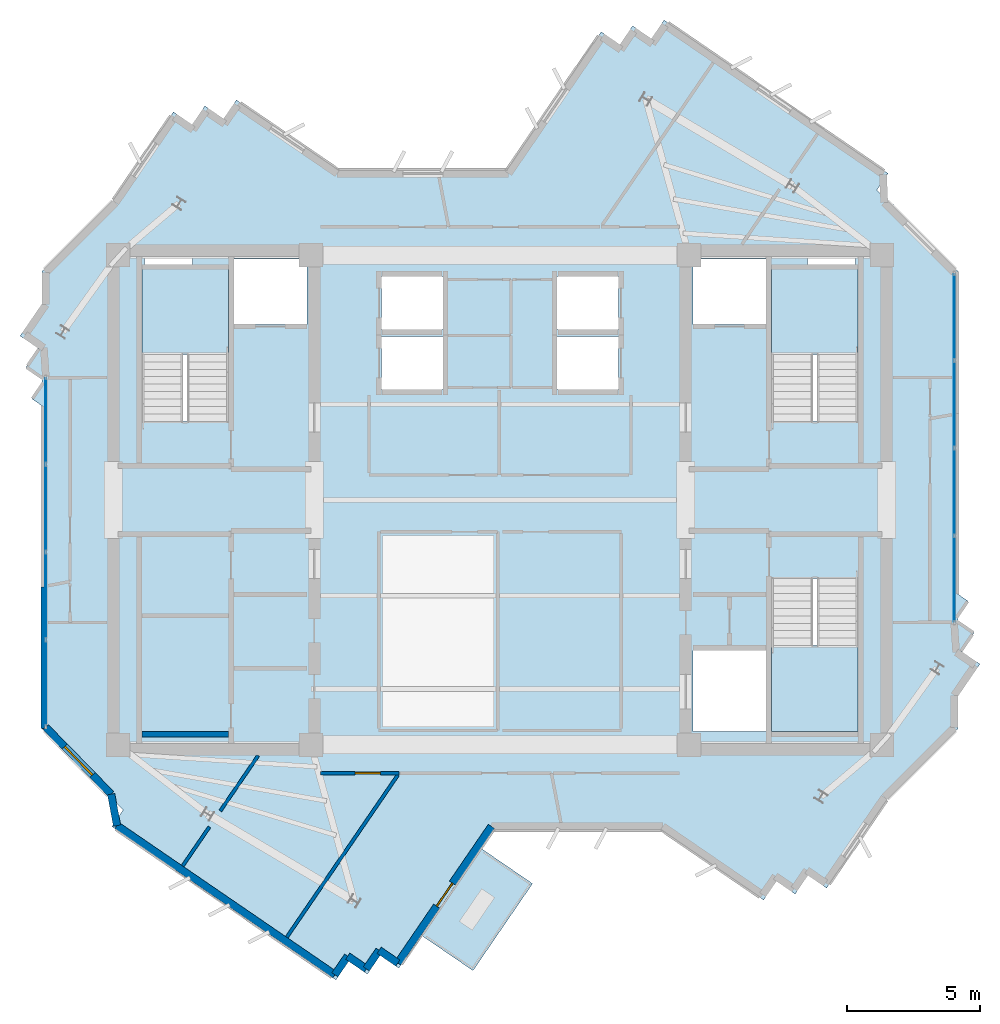
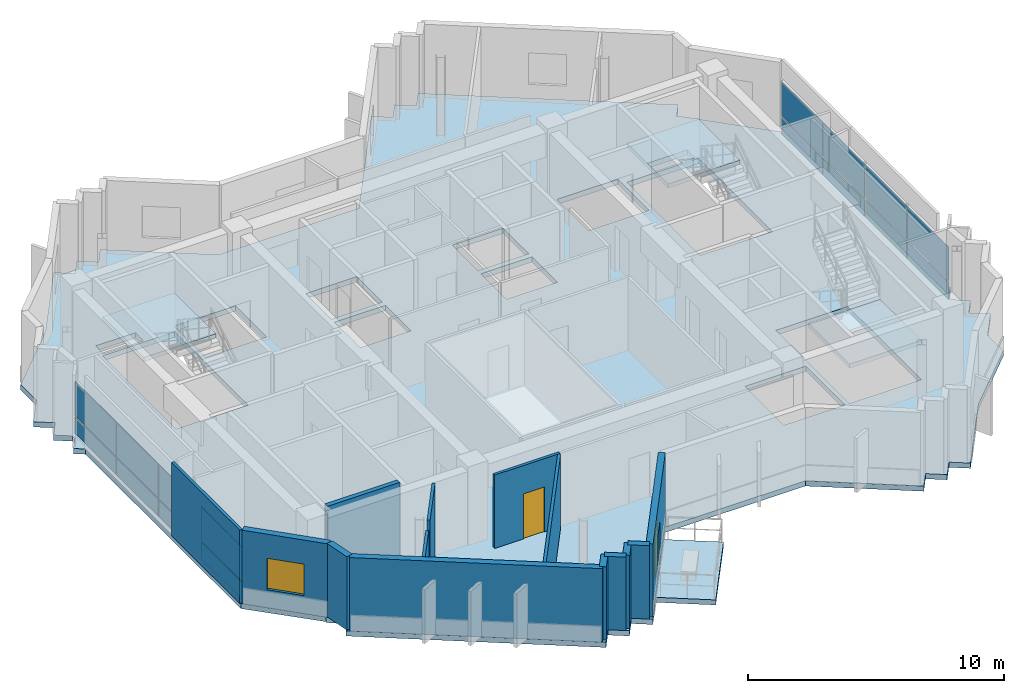
# One storey, part 4 of 11: 16 plates, 14 walls, 5 slabs, 2 doors, 1 window, 3 openings, 5 elements without a shape of their own.
"""IFC4 building model written with IfcOpenShell, lengths in metres."""

from ifc_helpers import new_model, si_unit, direction, frame, frame_2d, origin, origin_2d, place, context, subcontext, project, spatial, polyline, rectangle, outline, extrude, source, transform, mapped, material, layer, layer_set, type_object, element, fill, aggregate, save


model = new_model("IFC4")

# Units and contexts
model_context = context("Model", 3, precision=1e-05, world=origin(), true_north=direction((0.0, 1.0)))
body_context = subcontext(model_context, "Body", "Model", "MODEL_VIEW")
ifc_project = project(units=[si_unit("LENGTHUNIT", "METRE"), si_unit("AREAUNIT", "SQUARE_METRE"), si_unit("VOLUMEUNIT", "CUBIC_METRE"), si_unit("PLANEANGLEUNIT", "RADIAN"), si_unit("MASSUNIT", "GRAM", prefix="KILO")], contexts=[model_context])

# Site, building, storey
site_placement = place(None, origin())
site = spatial("IfcSite", under=ifc_project, at=site_placement, CompositionType="ELEMENT")
building_placement = place(site_placement, origin())
building = spatial("IfcBuilding", under=site, at=building_placement, Name="Zahravan Cultural Tower", CompositionType="ELEMENT")
storey_placement = place(building_placement, frame((0.0, 0.0, 331.050048828125)))
storey = spatial("IfcBuildingStorey", under=building, at=storey_placement, Name="L80", CompositionType="ELEMENT", Elevation=331.050048828125)

# Stair, slab
ifc_material_1 = material(Name="Concrete C45/55", Category="concrete")
stair_type = type_object("IfcStairType", Name="STR-DL-1550-375", PredefinedType="HALF_TURN_STAIR", material=ifc_material_1)
stair_1_placement = place(storey_placement, origin())
stair_1 = element("IfcStair", 1, at=stair_1_placement, inside=storey, type_object=stair_type, Name="L80 West Core North Exit Stair ST-W1", PredefinedType="HALF_TURN_STAIR")
ifc_layer_1 = layer(ifc_material_1, 0.199951171875)
ifc_layer_set_1 = layer_set([ifc_layer_1], Name="Concrete C45/55")
slab_type_1 = type_object("IfcSlabType", Name="SL-STAIR-LND200", PredefinedType="LANDING", material=ifc_layer_set_1)
slab_1_placement = place(storey_placement, frame((0.0, 0.0, 1.675048828125)))
slab_1 = element("IfcSlab", 2, at=slab_1_placement, type_object=slab_type_1, Name="ST-W1 landing 1", PredefinedType="LANDING", context=body_context, shape_type="SweptSolid", body=[
    extrude(outline(polyline([(25.800048828125, 32.469970703125), (25.800048828125, 35.699951171875), (22.550048828125, 35.699951171875), (22.550048828125, 32.469970703125), (25.800048828125, 32.469970703125)])), origin(), (0.0, 0.0, 1.0), 0.199951171875),
])
aggregate(stair_1, [slab_1])

stair_2_placement = place(storey_placement, origin())
stair_2 = element("IfcStair", 3, at=stair_2_placement, inside=storey, type_object=stair_type, Name="L80 East Core North Exit Stair ST-E1", PredefinedType="HALF_TURN_STAIR")
slab_2_placement = place(storey_placement, frame((0.0, 0.0, 1.675048828125)))
slab_2 = element("IfcSlab", 4, at=slab_2_placement, type_object=slab_type_1, Name="ST-E1 landing 1", PredefinedType="LANDING", context=body_context, shape_type="SweptSolid", body=[
    extrude(outline(polyline([(49.449951171875, 32.469970703125), (49.449951171875, 35.699951171875), (46.199951171875, 35.699951171875), (46.199951171875, 32.469970703125), (49.449951171875, 32.469970703125)])), origin(), (0.0, 0.0, 1.0), 0.199951171875),
])
aggregate(stair_2, [slab_2])

stair_3_placement = place(storey_placement, origin())
stair_3 = element("IfcStair", 5, at=stair_3_placement, inside=storey, type_object=stair_type, Name="L80 East Core South Exit Stair ST-E2", PredefinedType="HALF_TURN_STAIR")
slab_3_placement = place(storey_placement, frame((0.0, 0.0, 1.675048828125)))
slab_3 = element("IfcSlab", 6, at=slab_3_placement, type_object=slab_type_1, Name="ST-E2 landing 1", PredefinedType="LANDING", context=body_context, shape_type="SweptSolid", body=[
    extrude(outline(polyline([(46.199951171875, 21.530029296875), (46.199951171875, 18.300048828125), (49.449951171875, 18.300048828125), (49.449951171875, 21.530029296875), (46.199951171875, 21.530029296875)])), origin(), (0.0, 0.0, 1.0), 0.199951171875),
])
aggregate(stair_3, [slab_3])

# Slabs
ifc_material_2 = material(Name="Concrete C40/50", Category="concrete")
ifc_layer_2 = layer(ifc_material_2, 0.239990234375)
ifc_layer_set_2 = layer_set([ifc_layer_2], Name="Concrete C40/50")
slab_type_2 = type_object("IfcSlabType", Name="SL-TERR-240", PredefinedType="FLOOR", material=ifc_layer_set_2)
slab_4_placement = place(storey_placement, frame((0.0, 0.0, -0.239990234375)))
element("IfcSlab", 7, at=slab_4_placement, inside=storey, type_object=slab_type_2, Name="L80 Planted Sculpture Terrace SW", PredefinedType="FLOOR", context=body_context, shape_type="SweptSolid", body=[
    extrude(outline(polyline([(37.22216796875, 12.58935546875), (35.287109375, 13.9140625), (33.050048828125, 10.646728515625), (34.98486328125, 9.32177734375), (37.22216796875, 12.58935546875)])), origin(), (0.0, 0.0, 1.0), 0.239990234375),
])
ifc_layer_3 = layer(ifc_material_2, 0.25)
ifc_layer_set_3 = layer_set([ifc_layer_3], Name="Concrete C40/50")
slab_type_3 = type_object("IfcSlabType", Name="SL-TYP-250", PredefinedType="FLOOR", material=ifc_layer_set_3)
slab_5_placement = place(storey_placement, frame((0.0, 0.0, -0.25)))
element("IfcSlab", 8, at=slab_5_placement, inside=storey, type_object=slab_type_3, Name="L80 Structural Floor Slab", PredefinedType="FLOOR", context=body_context, shape_type="SweptSolid", body=[
    extrude(outline(polyline([(50.522216796875, 38.27783203125), (50.15478515625, 38.645263671875), (50.580810546875, 39.267822265625), (42.164794921875, 45.030517578125), (41.6845703125, 44.3291015625), (40.983154296875, 44.809326171875), (40.5029296875, 44.10791015625), (39.801513671875, 44.588134765625), (36.249267578125, 39.39990234375), (29.92626953125, 39.39990234375), (26.095458984375, 42.023193359375), (25.615234375, 41.32177734375), (24.913818359375, 41.802001953125), (24.43359375, 41.1005859375), (23.732177734375, 41.580810546875), (21.454833984375, 38.2548828125), (18.800048828125, 35.60009765625), (18.800048828125, 34.37744140625), (17.969482421875, 33.164794921875), (18.6708984375, 32.6845703125), (18.190673828125, 31.983154296875), (18.800048828125, 31.56591796875), (18.800048828125, 31.368408203125), (18.411865234375, 30.801513671875), (18.800048828125, 30.535888671875), (18.800048828125, 18.39990234375), (21.23388671875, 15.96630859375), (21.197998046875, 15.913818359375), (21.477783203125, 15.72216796875), (21.84521484375, 15.354736328125), (21.419189453125, 14.732177734375), (29.835205078125, 8.969482421875), (30.3154296875, 9.6708984375), (31.016845703125, 9.190673828125), (31.4970703125, 9.89208984375), (32.198486328125, 9.411865234375), (35.750732421875, 14.60009765625), (42.07373046875, 14.60009765625), (45.904541015625, 11.976806640625), (46.384765625, 12.67822265625), (47.086181640625, 12.197998046875), (47.56640625, 12.8994140625), (48.267822265625, 12.419189453125), (50.545166015625, 15.7451171875), (53.199951171875, 18.39990234375), (53.199951171875, 19.62255859375), (54.030517578125, 20.835205078125), (53.3291015625, 21.3154296875), (53.809326171875, 22.016845703125), (53.199951171875, 22.43408203125), (53.199951171875, 22.631591796875), (53.588134765625, 23.198486328125), (53.199951171875, 23.464111328125), (53.199951171875, 35.60009765625), (50.76611328125, 38.03369140625), (50.802001953125, 38.086181640625), (50.522216796875, 38.27783203125)]), holes=[polyline([(22.550048828125, 29.949951171875), (22.550048828125, 35.699951171875), (25.800048828125, 35.699951171875), (25.800048828125, 29.949951171875), (22.550048828125, 29.949951171875)]), polyline([(46.199951171875, 29.949951171875), (46.199951171875, 35.699951171875), (49.449951171875, 35.699951171875), (49.449951171875, 29.949951171875), (46.199951171875, 29.949951171875)]), polyline([(46.199951171875, 18.300048828125), (46.199951171875, 24.050048828125), (49.449951171875, 24.050048828125), (49.449951171875, 18.300048828125), (46.199951171875, 18.300048828125)]), polyline([(26.0, 33.60009765625), (26.0, 36.050048828125), (28.75, 36.050048828125), (28.75, 33.60009765625), (26.0, 33.60009765625)]), polyline([(43.25, 33.60009765625), (43.25, 36.050048828125), (46.0, 36.050048828125), (46.0, 33.60009765625), (43.25, 33.60009765625)]), polyline([(43.25, 18.300048828125), (43.25, 21.35009765625), (46.0, 21.35009765625), (46.0, 18.300048828125), (43.25, 18.300048828125)]), polyline([(31.550048828125, 33.39990234375), (31.550048828125, 35.39990234375), (33.85009765625, 35.39990234375), (33.85009765625, 33.39990234375), (31.550048828125, 33.39990234375)]), polyline([(31.550048828125, 31.14990234375), (31.550048828125, 33.14990234375), (33.85009765625, 33.14990234375), (33.85009765625, 31.14990234375), (31.550048828125, 31.14990234375)]), polyline([(38.14990234375, 33.39990234375), (38.14990234375, 35.39990234375), (40.449951171875, 35.39990234375), (40.449951171875, 33.39990234375), (38.14990234375, 33.39990234375)]), polyline([(38.14990234375, 31.14990234375), (38.14990234375, 33.14990234375), (40.449951171875, 33.14990234375), (40.449951171875, 31.14990234375), (38.14990234375, 31.14990234375)]), polyline([(22.64990234375, 35.800048828125), (22.64990234375, 36.419921875), (24.449951171875, 36.419921875), (24.449951171875, 35.800048828125), (22.64990234375, 35.800048828125)]), polyline([(47.550048828125, 35.800048828125), (47.550048828125, 36.419921875), (49.35009765625, 36.419921875), (49.35009765625, 35.800048828125), (47.550048828125, 35.800048828125)])]), origin(), (0.0, 0.0, 1.0), 0.25),
])

# Curtain wall, plates
ifc_material_3 = material(Name="Anodised bronze-aluminium mullion", Category="aluminium")
ifc_layer_4 = layer(ifc_material_3, 0.179931640625)
ifc_layer_set_4 = layer_set([ifc_layer_4], Name="Anodised bronze-aluminium mullion")
curtain_wall_type_1 = type_object("IfcCurtainWallType", Name="CW-SYS-3", PredefinedType="USERDEFINED", material=ifc_layer_set_4)
curtain_wall_1_placement = place(storey_placement, origin())
curtain_wall_1 = element("IfcCurtainWall", 9, at=curtain_wall_1_placement, inside=storey, type_object=curtain_wall_type_1, Name="L80 Recessed Curtain Wall CW-3.1", ObjectType="RECESSED GLAZING", PredefinedType="USERDEFINED")
ifc_material_4 = material(Name="Low-E solar-control double glazing", Category="glass")
ifc_layer_5 = layer(ifc_material_4, 0.028076171875)
ifc_layer_set_5 = layer_set([ifc_layer_5], Name="Low-E solar-control double glazing")
plate_type_1 = type_object("IfcPlateType", Name="CWP-CW-3", PredefinedType="CURTAIN_PANEL", material=ifc_layer_set_5)
shared_shape_1 = source(origin(), body_context, "Body", "SweptSolid", [
    extrude(rectangle(XDim=3.1904296875, YDim=0.028076171875, at=origin_2d()), origin(), (0.0, 0.0, 1.0), 0.794921875),
])
plate_1_placement = place(storey_placement, frame((18.93994140625, 20.123291015625, 0.070068359375), z_axis=(0.0, 0.0, 1.0), x_axis=(0.0, 1.0, 0.0)))
plate_1 = element("IfcPlate", 10, at=plate_1_placement, type_object=plate_type_1, Name="CW-3 panel 1.1", PredefinedType="CURTAIN_PANEL", context=body_context, shape_type="MappedRepresentation", body=[
    mapped(shared_shape_1, transform((0.0, 0.0, 0.0), x_axis=(1.0, 0.0, 0.0), y_axis=(0.0, 1.0, 0.0), z_axis=(0.0, 0.0, 1.0), scale=1.0)),
])
plate_2_placement = place(storey_placement, frame((18.93994140625, 29.974609375, 0.070068359375), z_axis=(0.0, 0.0, 1.0), x_axis=(0.0, 1.0, 0.0)))
plate_2 = element("IfcPlate", 11, at=plate_2_placement, type_object=plate_type_1, Name="CW-3 panel 4.1", PredefinedType="CURTAIN_PANEL", context=body_context, shape_type="MappedRepresentation", body=[
    mapped(shared_shape_1, transform((0.0, 0.0, 0.0), x_axis=(1.0, 0.0, 0.0), y_axis=(0.0, 1.0, 0.0), z_axis=(0.0, 0.0, 1.0), scale=1.0)),
])
shared_shape_2 = source(origin(), body_context, "Body", "SweptSolid", [
    extrude(rectangle(XDim=3.1904296875, YDim=0.028076171875, at=origin_2d()), origin(), (0.0, 0.0, 1.0), 1.614990234375),
])
plate_3_placement = place(storey_placement, frame((18.93994140625, 20.123291015625, 0.93505859375), z_axis=(0.0, 0.0, 1.0), x_axis=(0.0, 1.0, 0.0)))
plate_3 = element("IfcPlate", 12, at=plate_3_placement, type_object=plate_type_1, Name="CW-3 panel 1.2", PredefinedType="CURTAIN_PANEL", context=body_context, shape_type="MappedRepresentation", body=[
    mapped(shared_shape_2, transform((0.0, 0.0, 0.0), x_axis=(1.0, 0.0, 0.0), y_axis=(0.0, 1.0, 0.0), z_axis=(0.0, 0.0, 1.0), scale=1.0)),
])
plate_4_placement = place(storey_placement, frame((18.93994140625, 29.974609375, 0.93505859375), z_axis=(0.0, 0.0, 1.0), x_axis=(0.0, 1.0, 0.0)))
plate_4 = element("IfcPlate", 13, at=plate_4_placement, type_object=plate_type_1, Name="CW-3 panel 4.2", PredefinedType="CURTAIN_PANEL", context=body_context, shape_type="MappedRepresentation", body=[
    mapped(shared_shape_2, transform((0.0, 0.0, 0.0), x_axis=(1.0, 0.0, 0.0), y_axis=(0.0, 1.0, 0.0), z_axis=(0.0, 0.0, 1.0), scale=1.0)),
])
shared_shape_3 = source(origin(), body_context, "Body", "SweptSolid", [
    extrude(rectangle(XDim=3.225341796875, YDim=0.028076171875, at=origin_2d()), origin(), (0.0, 0.0, 1.0), 0.794921875),
])
plate_5_placement = place(storey_placement, frame((18.93994140625, 23.401123046875, 0.070068359375), z_axis=(0.0, 0.0, 1.0), x_axis=(0.0, 1.0, 0.0)))
plate_5 = element("IfcPlate", 14, at=plate_5_placement, type_object=plate_type_1, Name="CW-3 panel 2.1", PredefinedType="CURTAIN_PANEL", context=body_context, shape_type="MappedRepresentation", body=[
    mapped(shared_shape_3, transform((0.0, 0.0, 0.0), x_axis=(1.0, 0.0, 0.0), y_axis=(0.0, 1.0, 0.0), z_axis=(0.0, 0.0, 1.0), scale=1.0)),
])
plate_6_placement = place(storey_placement, frame((18.93994140625, 26.696533203125, 0.070068359375), z_axis=(0.0, 0.0, 1.0), x_axis=(0.0, 1.0, 0.0)))
plate_6 = element("IfcPlate", 15, at=plate_6_placement, type_object=plate_type_1, Name="CW-3 panel 3.1", PredefinedType="CURTAIN_PANEL", context=body_context, shape_type="MappedRepresentation", body=[
    mapped(shared_shape_3, transform((0.0, 0.0, 0.0), x_axis=(1.0, 0.0, 0.0), y_axis=(0.0, 1.0, 0.0), z_axis=(0.0, 0.0, 1.0), scale=1.0)),
])
shared_shape_4 = source(origin(), body_context, "Body", "SweptSolid", [
    extrude(rectangle(XDim=3.225341796875, YDim=0.028076171875, at=origin_2d()), origin(), (0.0, 0.0, 1.0), 1.614990234375),
])
plate_7_placement = place(storey_placement, frame((18.93994140625, 23.401123046875, 0.93505859375), z_axis=(0.0, 0.0, 1.0), x_axis=(0.0, 1.0, 0.0)))
plate_7 = element("IfcPlate", 16, at=plate_7_placement, type_object=plate_type_1, Name="CW-3 panel 2.2", PredefinedType="CURTAIN_PANEL", context=body_context, shape_type="MappedRepresentation", body=[
    mapped(shared_shape_4, transform((0.0, 0.0, 0.0), x_axis=(1.0, 0.0, 0.0), y_axis=(0.0, 1.0, 0.0), z_axis=(0.0, 0.0, 1.0), scale=1.0)),
])
plate_8_placement = place(storey_placement, frame((18.93994140625, 26.696533203125, 0.93505859375), z_axis=(0.0, 0.0, 1.0), x_axis=(0.0, 1.0, 0.0)))
plate_8 = element("IfcPlate", 17, at=plate_8_placement, type_object=plate_type_1, Name="CW-3 panel 3.2", PredefinedType="CURTAIN_PANEL", context=body_context, shape_type="MappedRepresentation", body=[
    mapped(shared_shape_4, transform((0.0, 0.0, 0.0), x_axis=(1.0, 0.0, 0.0), y_axis=(0.0, 1.0, 0.0), z_axis=(0.0, 0.0, 1.0), scale=1.0)),
])
aggregate(curtain_wall_1, [plate_1, plate_3, plate_5, plate_7, plate_6, plate_8, plate_2, plate_4])

ifc_layer_6 = layer(ifc_material_3, 0.1650390625)
ifc_layer_set_6 = layer_set([ifc_layer_6], Name="Anodised bronze-aluminium mullion")
curtain_wall_type_2 = type_object("IfcCurtainWallType", Name="CW-SYS-4", PredefinedType="USERDEFINED", material=ifc_layer_set_6)
curtain_wall_2_placement = place(storey_placement, origin())
curtain_wall_2 = element("IfcCurtainWall", 18, at=curtain_wall_2_placement, inside=storey, type_object=curtain_wall_type_2, Name="L80 Recessed Curtain Wall CW-4.2", ObjectType="RECESSED GLAZING", PredefinedType="USERDEFINED")
ifc_layer_7 = layer(ifc_material_4, 0.02587890625)
ifc_layer_set_7 = layer_set([ifc_layer_7], Name="Low-E solar-control double glazing")
plate_type_2 = type_object("IfcPlateType", Name="CWP-CW-4", PredefinedType="CURTAIN_PANEL", material=ifc_layer_set_7)
shared_shape_5 = source(origin(), body_context, "Body", "SweptSolid", [
    extrude(rectangle(XDim=3.197998046875, YDim=0.02587890625, at=origin_2d()), origin(), (0.0, 0.0, 1.0), 0.802490234375),
])
plate_9_placement = place(storey_placement, frame((53.06005859375, 33.8779296875, 0.06494140625), z_axis=(0.0, 0.0, 1.0), x_axis=(0.0, -1.0, 0.0)))
plate_9 = element("IfcPlate", 19, at=plate_9_placement, type_object=plate_type_2, Name="CW-4 panel 1.1", PredefinedType="CURTAIN_PANEL", context=body_context, shape_type="MappedRepresentation", body=[
    mapped(shared_shape_5, transform((0.0, 0.0, 0.0), x_axis=(1.0, 0.0, 0.0), y_axis=(0.0, 1.0, 0.0), z_axis=(0.0, 0.0, 1.0), scale=1.0)),
])
plate_10_placement = place(storey_placement, frame((53.06005859375, 24.024169921875, 0.06494140625), z_axis=(0.0, 0.0, 1.0), x_axis=(0.0, -1.0, 0.0)))
plate_10 = element("IfcPlate", 20, at=plate_10_placement, type_object=plate_type_2, Name="CW-4 panel 4.1", PredefinedType="CURTAIN_PANEL", context=body_context, shape_type="MappedRepresentation", body=[
    mapped(shared_shape_5, transform((0.0, 0.0, 0.0), x_axis=(1.0, 0.0, 0.0), y_axis=(0.0, 1.0, 0.0), z_axis=(0.0, 0.0, 1.0), scale=1.0)),
])
shared_shape_6 = source(origin(), body_context, "Body", "SweptSolid", [
    extrude(rectangle(XDim=3.197998046875, YDim=0.02587890625, at=origin_2d()), origin(), (0.0, 0.0, 1.0), 1.62255859375),
])
plate_11_placement = place(storey_placement, frame((53.06005859375, 33.8779296875, 0.932373046875), z_axis=(0.0, 0.0, 1.0), x_axis=(0.0, -1.0, 0.0)))
plate_11 = element("IfcPlate", 21, at=plate_11_placement, type_object=plate_type_2, Name="CW-4 panel 1.2", PredefinedType="CURTAIN_PANEL", context=body_context, shape_type="MappedRepresentation", body=[
    mapped(shared_shape_6, transform((0.0, 0.0, 0.0), x_axis=(1.0, 0.0, 0.0), y_axis=(0.0, 1.0, 0.0), z_axis=(0.0, 0.0, 1.0), scale=1.0)),
])
plate_12_placement = place(storey_placement, frame((53.06005859375, 24.024169921875, 0.932373046875), z_axis=(0.0, 0.0, 1.0), x_axis=(0.0, -1.0, 0.0)))
plate_12 = element("IfcPlate", 22, at=plate_12_placement, type_object=plate_type_2, Name="CW-4 panel 4.2", PredefinedType="CURTAIN_PANEL", context=body_context, shape_type="MappedRepresentation", body=[
    mapped(shared_shape_6, transform((0.0, 0.0, 0.0), x_axis=(1.0, 0.0, 0.0), y_axis=(0.0, 1.0, 0.0), z_axis=(0.0, 0.0, 1.0), scale=1.0)),
])
shared_shape_7 = source(origin(), body_context, "Body", "SweptSolid", [
    extrude(rectangle(XDim=3.23046875, YDim=0.02587890625, at=origin_2d()), origin(), (0.0, 0.0, 1.0), 0.802490234375),
])
plate_13_placement = place(storey_placement, frame((53.06005859375, 30.598876953125, 0.06494140625), z_axis=(0.0, 0.0, 1.0), x_axis=(0.0, -1.0, 0.0)))
plate_13 = element("IfcPlate", 23, at=plate_13_placement, type_object=plate_type_2, Name="CW-4 panel 2.1", PredefinedType="CURTAIN_PANEL", context=body_context, shape_type="MappedRepresentation", body=[
    mapped(shared_shape_7, transform((0.0, 0.0, 0.0), x_axis=(1.0, 0.0, 0.0), y_axis=(0.0, 1.0, 0.0), z_axis=(0.0, 0.0, 1.0), scale=1.0)),
])
plate_14_placement = place(storey_placement, frame((53.06005859375, 27.303466796875, 0.06494140625), z_axis=(0.0, 0.0, 1.0), x_axis=(0.0, -1.0, 0.0)))
plate_14 = element("IfcPlate", 24, at=plate_14_placement, type_object=plate_type_2, Name="CW-4 panel 3.1", PredefinedType="CURTAIN_PANEL", context=body_context, shape_type="MappedRepresentation", body=[
    mapped(shared_shape_7, transform((0.0, 0.0, 0.0), x_axis=(1.0, 0.0, 0.0), y_axis=(0.0, 1.0, 0.0), z_axis=(0.0, 0.0, 1.0), scale=1.0)),
])
shared_shape_8 = source(origin(), body_context, "Body", "SweptSolid", [
    extrude(rectangle(XDim=3.23046875, YDim=0.02587890625, at=origin_2d()), origin(), (0.0, 0.0, 1.0), 1.62255859375),
])
plate_15_placement = place(storey_placement, frame((53.06005859375, 30.598876953125, 0.932373046875), z_axis=(0.0, 0.0, 1.0), x_axis=(0.0, -1.0, 0.0)))
plate_15 = element("IfcPlate", 25, at=plate_15_placement, type_object=plate_type_2, Name="CW-4 panel 2.2", PredefinedType="CURTAIN_PANEL", context=body_context, shape_type="MappedRepresentation", body=[
    mapped(shared_shape_8, transform((0.0, 0.0, 0.0), x_axis=(1.0, 0.0, 0.0), y_axis=(0.0, 1.0, 0.0), z_axis=(0.0, 0.0, 1.0), scale=1.0)),
])
plate_16_placement = place(storey_placement, frame((53.06005859375, 27.303466796875, 0.932373046875), z_axis=(0.0, 0.0, 1.0), x_axis=(0.0, -1.0, 0.0)))
plate_16 = element("IfcPlate", 26, at=plate_16_placement, type_object=plate_type_2, Name="CW-4 panel 3.2", PredefinedType="CURTAIN_PANEL", context=body_context, shape_type="MappedRepresentation", body=[
    mapped(shared_shape_8, transform((0.0, 0.0, 0.0), x_axis=(1.0, 0.0, 0.0), y_axis=(0.0, 1.0, 0.0), z_axis=(0.0, 0.0, 1.0), scale=1.0)),
])
aggregate(curtain_wall_2, [plate_9, plate_11, plate_13, plate_15, plate_14, plate_16, plate_10, plate_12])

# Wall, opening, window
ifc_material_5 = material(Name="Precast concrete C40/50", Category="concrete")
ifc_layer_8 = layer(ifc_material_5, 0.280029296875)
ifc_layer_set_8 = layer_set([ifc_layer_8], Name="Precast concrete C40/50")
wall_type_1 = type_object("IfcWallType", Name="EW-TC-280", PredefinedType="SOLIDWALL", material=ifc_layer_set_8)
wall_1_placement = place(storey_placement, frame((21.392578125, 15.9501953125, 0.0), z_axis=(0.0, 0.0, 1.0), x_axis=(-0.699198279454, 0.714927804753, 0.0)))
wall_1 = element("IfcWall", 27, at=wall_1_placement, inside=storey, type_object=wall_type_1, Name="L80 Exterior Masonry Frame Wall 01", PredefinedType="SOLIDWALL", context=body_context, shape_type="SweptSolid", body=[
    extrude(rectangle(XDim=3.5078125, YDim=0.280029296875, at=frame_2d((1.75390625, 0.0))), origin(), (0.0, 0.0, 1.0), 3.5),
])
opening_1_placement = place(wall_1_placement, frame((1.00390625, 0.0, 0.85009765625)))
opening_1 = element("IfcOpeningElement", 28, at=opening_1_placement, cuts=wall_1, Name="Opening WN-03", PredefinedType="OPENING", context=body_context, shape_type="SweptSolid", body=[
    extrude(rectangle(XDim=1.5, YDim=1.5, at=frame_2d((0.75, 0.75))), frame((0.0, 0.14990234375, 0.0), z_axis=(0.0, -1.0, 0.0), x_axis=(1.0, 0.0, 0.0)), (0.0, 0.0, 1.0), 0.300048828125),
])
window_type = type_object("IfcWindowType", Name="WN-REC-1500X1500", PartitioningType="SINGLE_PANEL", PredefinedType="WINDOW", material=ifc_material_4)
shared_shape_9 = source(origin(), body_context, "Body", "SweptSolid", [
    extrude(rectangle(XDim=1.5, YDim=1.5, at=frame_2d((0.75, 0.75))), frame((0.0, 0.030029296875, 0.0), z_axis=(0.0, -1.0, 0.0), x_axis=(1.0, 0.0, 0.0)), (0.0, 0.0, 1.0), 0.06005859375),
])
window_placement = place(opening_1_placement, origin())
window = element("IfcWindow", 29, at=window_placement, inside=storey, type_object=window_type, Name="L80 Recessed Solar Window 01", OverallHeight=1.5, OverallWidth=1.5, PartitioningType="SINGLE_PANEL", PredefinedType="WINDOW", context=body_context, shape_type="MappedRepresentation", body=[
    mapped(shared_shape_9, transform((0.0, 0.0, 0.0), x_axis=(1.0, 0.0, 0.0), y_axis=(0.0, 1.0, 0.0), z_axis=(0.0, 0.0, 1.0), scale=1.0)),
])
fill(opening_1, window)

# Wall, opening, door
wall_2_placement = place(storey_placement, frame((35.677001953125, 14.739990234375, 0.0), z_axis=(0.0, 0.0, 1.0), x_axis=(-0.564953982519, -0.825122413728, 0.0)))
wall_2 = element("IfcWall", 30, at=wall_2_placement, inside=storey, type_object=wall_type_1, Name="L80 Exterior Masonry Frame Wall 34", PredefinedType="SOLIDWALL", context=body_context, shape_type="SweptSolid", body=[
    extrude(rectangle(XDim=6.221435546875, YDim=0.280029296875, at=frame_2d((3.11083984375, 0.0))), origin(), (0.0, 0.0, 1.0), 3.5),
])
opening_2_placement = place(wall_2_placement, frame((2.5859375, 0.0, 0.0)))
opening_2 = element("IfcOpeningElement", 31, at=opening_2_placement, cuts=wall_2, Name="Opening D-L80-TR-SW", PredefinedType="OPENING", context=body_context, shape_type="SweptSolid", body=[
    extrude(rectangle(XDim=1.050048828125, YDim=2.14990234375, at=frame_2d((0.52490234375, 1.074951171875))), frame((0.0, 0.14990234375, 0.0), z_axis=(0.0, -1.0, 0.0), x_axis=(1.0, 0.0, 0.0)), (0.0, 0.0, 1.0), 0.300048828125),
])
door_type_1 = type_object("IfcDoorType", Name="DR-TERR-1050", OperationType="NOTDEFINED", PredefinedType="DOOR", material=ifc_material_3)
shared_shape_10 = source(origin(), body_context, "Body", "SweptSolid", [
    extrude(rectangle(XDim=1.050048828125, YDim=2.14990234375, at=frame_2d((0.52490234375, 1.074951171875))), frame((0.0, 0.02490234375, 0.0), z_axis=(0.0, -1.0, 0.0), x_axis=(1.0, 0.0, 0.0)), (0.0, 0.0, 1.0), 0.050048828125),
])
door_1_placement = place(opening_2_placement, origin())
door_1 = element("IfcDoor", 32, at=door_1_placement, inside=storey, type_object=door_type_1, Name="L80 Terrace Access Door SW", OperationType="SINGLE_SWING_LEFT", OverallHeight=2.14990234375, OverallWidth=1.050048828125, PredefinedType="DOOR", context=body_context, shape_type="MappedRepresentation", body=[
    mapped(shared_shape_10, transform((0.0, 0.0, 0.0), x_axis=(1.0, 0.0, 0.0), y_axis=(0.0, 1.0, 0.0), z_axis=(0.0, 0.0, 1.0), scale=1.0)),
])
fill(opening_2, door_1)

ifc_material_6 = material(Name="Gypsum plasterboard partition")
ifc_layer_9 = layer(ifc_material_6, 0.125)
ifc_layer_set_9 = layer_set([ifc_layer_9], Name="Gypsum plasterboard partition")
wall_type_2 = type_object("IfcWallType", Name="W-PART-125", PredefinedType="PARTITIONING", material=ifc_layer_set_9)
wall_3_placement = place(storey_placement, frame((29.257568359375, 16.740234375, 0.0), z_axis=(0.0, 0.0, 1.0), x_axis=(0.999999996583, -8.2671957e-05, 0.0)))
wall_3 = element("IfcWall", 33, at=wall_3_placement, inside=storey, type_object=wall_type_2, Name="L80 Interior Wall 081", PredefinedType="PARTITIONING", context=body_context, shape_type="SweptSolid", body=[
    extrude(rectangle(XDim=2.953125, YDim=0.125, at=frame_2d((1.4765625, 0.0))), origin(), (0.0, 0.0, 1.0), 3.5),
])
opening_3_placement = place(wall_3_placement, frame((1.302001953125, 0.0, 0.0)))
opening_3 = element("IfcOpeningElement", 34, at=opening_3_placement, cuts=wall_3, Name="Opening D-L80-26", PredefinedType="OPENING", context=body_context, shape_type="SweptSolid", body=[
    extrude(rectangle(XDim=0.949951171875, YDim=2.14990234375, at=frame_2d((0.47509765625, 1.074951171875))), frame((0.0, 0.072509765625, 0.0), z_axis=(0.0, -1.0, 0.0), x_axis=(1.0, 0.0, 0.0)), (0.0, 0.0, 1.0), 0.14501953125),
])
door_type_2 = type_object("IfcDoorType", Name="DR-ROOM-950", OperationType="NOTDEFINED", PredefinedType="DOOR", material=ifc_material_3)
shared_shape_11 = source(origin(), body_context, "Body", "SweptSolid", [
    extrude(rectangle(XDim=0.949951171875, YDim=2.14990234375, at=frame_2d((0.47509765625, 1.074951171875))), frame((0.0, 0.02490234375, 0.0), z_axis=(0.0, -1.0, 0.0), x_axis=(1.0, 0.0, 0.0)), (0.0, 0.0, 1.0), 0.050048828125),
])
door_2_placement = place(opening_3_placement, origin())
door_2 = element("IfcDoor", 35, at=door_2_placement, inside=storey, type_object=door_type_2, Name="L80 Door D-L80-26", OperationType="SINGLE_SWING_LEFT", OverallHeight=2.14990234375, OverallWidth=0.949951171875, PredefinedType="DOOR", context=body_context, shape_type="MappedRepresentation", body=[
    mapped(shared_shape_11, transform((0.0, 0.0, 0.0), x_axis=(1.0, 0.0, 0.0), y_axis=(0.0, 1.0, 0.0), z_axis=(0.0, 0.0, 1.0), scale=1.0)),
])
fill(opening_3, door_2)

# Walls
shared_shape_12 = source(origin(), body_context, "Body", "SweptSolid", [
    extrude(rectangle(XDim=0.85009765625, YDim=0.280029296875, at=frame_2d((0.425048828125, 0.0))), origin(), (0.0, 0.0, 1.0), 3.5),
])
for number, where, z_axis, x_axis, name in (
    (36, (32.162109375, 9.6064453125, 0.0), (0.0, 0.0, 1.0), (-0.825138153006, 0.564930994418, 0.0), "L80 Exterior Masonry Frame Wall 35"),
    (37, (31.460693359375, 10.086669921875, 0.0), (0.0, 0.0, 1.0), (-0.564930994418, -0.825138153006, 0.0), "L80 Exterior Masonry Frame Wall 36"),
    (38, (30.98046875, 9.38525390625, 0.0), (0.0, 0.0, 1.0), (-0.825138153006, 0.564930994418, 0.0), "L80 Exterior Masonry Frame Wall 37"),
):
    element("IfcWall", number, at=place(storey_placement, frame(where, z_axis=z_axis, x_axis=x_axis)), inside=storey, type_object=wall_type_1, Name=name, PredefinedType="SOLIDWALL", context=body_context, shape_type="MappedRepresentation", body=[
        mapped(shared_shape_12, transform((0.0, 0.0, 0.0), x_axis=(1.0, 0.0, 0.0), y_axis=(0.0, 1.0, 0.0), z_axis=(0.0, 0.0, 1.0), scale=1.0)),
    ])
shared_shape_13 = source(origin(), body_context, "Body", "SweptSolid", [
    extrude(rectangle(XDim=0.849853515625, YDim=0.280029296875, at=frame_2d((0.4248046875, 0.0))), origin(), (0.0, 0.0, 1.0), 3.5),
])
wall_4_placement = place(storey_placement, frame((30.279052734375, 9.865478515625, 0.0), z_axis=(0.0, 0.0, 1.0), x_axis=(-0.565064897913, -0.825046459993, 0.0)))
element("IfcWall", 39, at=wall_4_placement, inside=storey, type_object=wall_type_1, Name="L80 Exterior Masonry Frame Wall 38", PredefinedType="SOLIDWALL", context=body_context, shape_type="MappedRepresentation", body=[
    mapped(shared_shape_13, transform((0.0, 0.0, 0.0), x_axis=(1.0, 0.0, 0.0), y_axis=(0.0, 1.0, 0.0), z_axis=(0.0, 0.0, 1.0), scale=1.0)),
])
shared_shape_14 = source(origin(), body_context, "Body", "SweptSolid", [
    extrude(rectangle(XDim=9.919921875, YDim=0.280029296875, at=frame_2d((4.9599609375, 0.0))), origin(), (0.0, 0.0, 1.0), 3.5),
])
wall_5_placement = place(storey_placement, frame((29.798828125, 9.164306640625, 0.0), z_axis=(0.0, 0.0, 1.0), x_axis=(-0.825121888295, 0.56495474992, 0.0)))
element("IfcWall", 40, at=wall_5_placement, inside=storey, type_object=wall_type_1, Name="L80 Exterior Masonry Frame Wall 39", PredefinedType="SOLIDWALL", context=body_context, shape_type="MappedRepresentation", body=[
    mapped(shared_shape_14, transform((0.0, 0.0, 0.0), x_axis=(1.0, 0.0, 0.0), y_axis=(0.0, 1.0, 0.0), z_axis=(0.0, 0.0, 1.0), scale=1.0)),
])
shared_shape_15 = source(origin(), body_context, "Body", "SweptSolid", [
    extrude(rectangle(XDim=1.2021484375, YDim=0.280029296875, at=frame_2d((0.60107421875, 0.0))), origin(), (0.0, 0.0, 1.0), 3.5),
])
wall_6_placement = place(storey_placement, frame((21.61376953125, 14.7685546875, 0.0), z_axis=(0.0, 0.0, 1.0), x_axis=(-0.183994246351, 0.982927320462, 0.0)))
element("IfcWall", 41, at=wall_6_placement, inside=storey, type_object=wall_type_1, Name="L80 Exterior Masonry Frame Wall 40", PredefinedType="SOLIDWALL", context=body_context, shape_type="MappedRepresentation", body=[
    mapped(shared_shape_15, transform((0.0, 0.0, 0.0), x_axis=(1.0, 0.0, 0.0), y_axis=(0.0, 1.0, 0.0), z_axis=(0.0, 0.0, 1.0), scale=1.0)),
])
ifc_layer_10 = layer(ifc_material_1, 0.199951171875)
ifc_layer_set_10 = layer_set([ifc_layer_10], Name="Concrete C45/55")
wall_type_3 = type_object("IfcWallType", Name="W-SHAFT-200", PredefinedType="SOLIDWALL", material=ifc_layer_set_10)
shared_shape_16 = source(origin(), body_context, "Body", "SweptSolid", [
    extrude(rectangle(XDim=3.25, YDim=0.199951171875, at=frame_2d((1.625, 0.0))), origin(), (0.0, 0.0, 1.0), 3.5),
])
wall_7_placement = place(storey_placement, frame((22.550048828125, 18.199951171875, 0.0), z_axis=(0.0, 0.0, 1.0), x_axis=(1.0, 0.0, 0.0)))
element("IfcWall", 42, at=wall_7_placement, inside=storey, type_object=wall_type_3, Name="L80 Interior Wall 019", PredefinedType="SOLIDWALL", context=body_context, shape_type="MappedRepresentation", body=[
    mapped(shared_shape_16, transform((0.0, 0.0, 0.0), x_axis=(1.0, 0.0, 0.0), y_axis=(0.0, 1.0, 0.0), z_axis=(0.0, 0.0, 1.0), scale=1.0)),
])
shared_shape_17 = source(origin(), body_context, "Body", "SweptSolid", [
    extrude(rectangle(XDim=2.5107421875, YDim=0.125, at=frame_2d((1.25537109375, 0.0))), origin(), (0.0, 0.0, 1.0), 3.5),
])
wall_8_placement = place(storey_placement, frame((26.91455078125, 17.39501953125, 0.0), z_axis=(0.0, 0.0, 1.0), x_axis=(-0.564980194272, -0.825104466162, 0.0)))
element("IfcWall", 43, at=wall_8_placement, inside=storey, type_object=wall_type_2, Name="L80 Interior Wall 071", PredefinedType="PARTITIONING", context=body_context, shape_type="MappedRepresentation", body=[
    mapped(shared_shape_17, transform((0.0, 0.0, 0.0), x_axis=(1.0, 0.0, 0.0), y_axis=(0.0, 1.0, 0.0), z_axis=(0.0, 0.0, 1.0), scale=1.0)),
])
shared_shape_18 = source(origin(), body_context, "Body", "SweptSolid", [
    extrude(rectangle(XDim=1.775146484375, YDim=0.125, at=frame_2d((0.8876953125, 0.0))), origin(), (0.0, 0.0, 1.0), 3.5),
])
wall_9_placement = place(storey_placement, frame((25.083251953125, 14.72021484375, 0.0), z_axis=(0.0, 0.0, 1.0), x_axis=(-0.56509798207, -0.825023800057, 0.0)))
element("IfcWall", 44, at=wall_9_placement, inside=storey, type_object=wall_type_2, Name="L80 Interior Wall 072", PredefinedType="PARTITIONING", context=body_context, shape_type="MappedRepresentation", body=[
    mapped(shared_shape_18, transform((0.0, 0.0, 0.0), x_axis=(1.0, 0.0, 0.0), y_axis=(0.0, 1.0, 0.0), z_axis=(0.0, 0.0, 1.0), scale=1.0)),
])
shared_shape_19 = source(origin(), body_context, "Body", "SweptSolid", [
    extrude(rectangle(XDim=5.33203125, YDim=0.125, at=frame_2d((2.666015625, 0.0))), origin(), (0.0, 0.0, 1.0), 3.5),
])
wall_10_placement = place(storey_placement, frame((18.820068359375, 18.408203125, 0.0), z_axis=(0.0, 0.0, 1.0), x_axis=(0.0, 1.0, 0.0)))
element("IfcWall", 45, at=wall_10_placement, inside=storey, type_object=wall_type_2, Name="L80 Interior Wall 073", PredefinedType="PARTITIONING", context=body_context, shape_type="MappedRepresentation", body=[
    mapped(shared_shape_19, transform((0.0, 0.0, 0.0), x_axis=(1.0, 0.0, 0.0), y_axis=(0.0, 1.0, 0.0), z_axis=(0.0, 0.0, 1.0), scale=1.0)),
])
shared_shape_20 = source(origin(), body_context, "Body", "SweptSolid", [
    extrude(rectangle(XDim=7.386962890625, YDim=0.125, at=frame_2d((3.693359375, 0.0))), origin(), (0.0, 0.0, 1.0), 3.5),
])
wall_11_placement = place(storey_placement, frame((32.16455078125, 16.672607421875, 0.0), z_axis=(0.0, 0.0, 1.0), x_axis=(-0.564969427755, -0.8251118383, 0.0)))
element("IfcWall", 46, at=wall_11_placement, inside=storey, type_object=wall_type_2, Name="L80 Interior Wall 082", PredefinedType="PARTITIONING", context=body_context, shape_type="MappedRepresentation", body=[
    mapped(shared_shape_20, transform((0.0, 0.0, 0.0), x_axis=(1.0, 0.0, 0.0), y_axis=(0.0, 1.0, 0.0), z_axis=(0.0, 0.0, 1.0), scale=1.0)),
])

save(model, "model.ifc")
